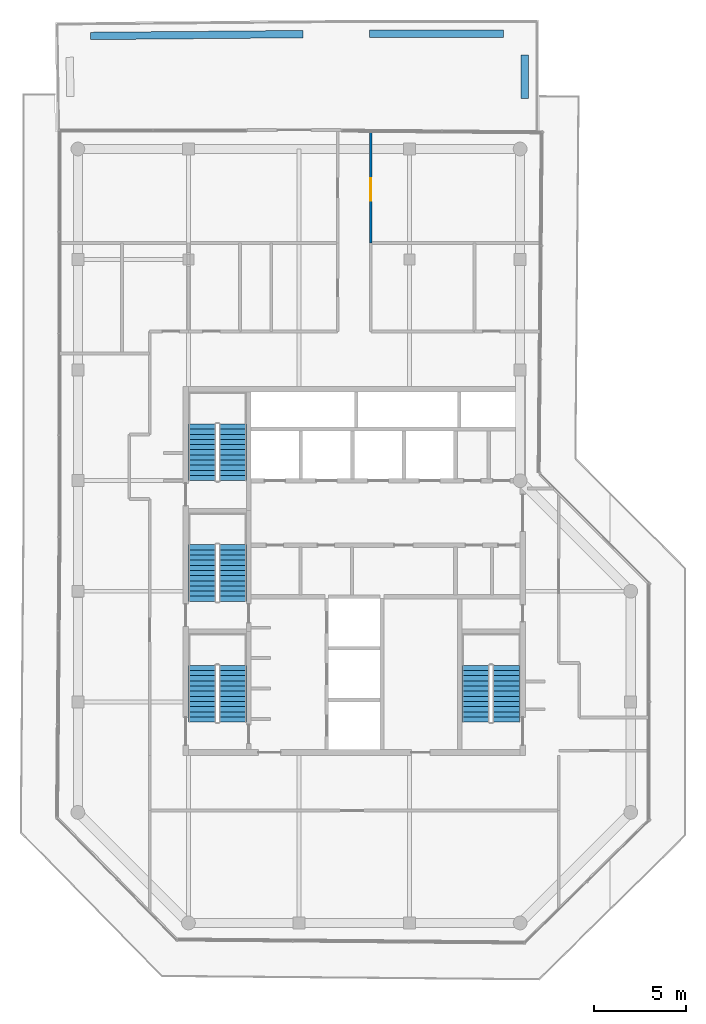
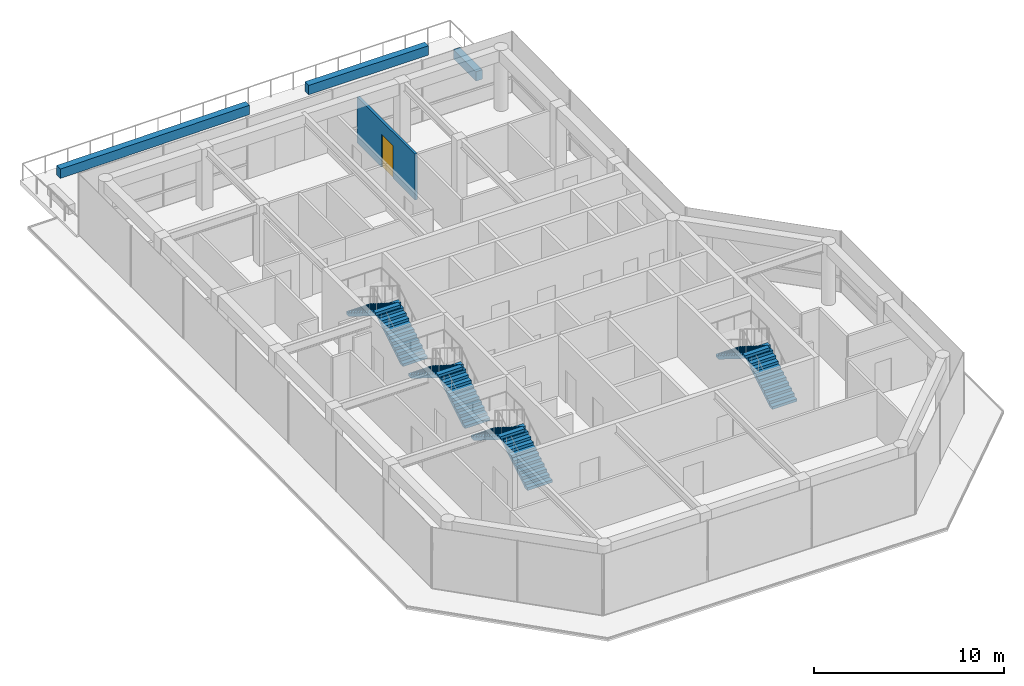
# One storey, part 15 of 17: 8 stair flights, 4 walls, 1 door, 1 opening, 4 elements without a shape of their own.
"""IFC4 building model written with IfcOpenShell, lengths in metres."""

from ifc_helpers import new_model, si_unit, direction, frame, frame_2d, origin, place, context, subcontext, project, spatial, polyline, rectangle, outline, extrude, material, layer, layer_set, type_object, element, fill, aggregate, save


model = new_model("IFC4")

# Units and contexts
model_context = context("Model", 3, precision=1e-05, world=origin(), true_north=direction((0.0, 1.0)))
body_context = subcontext(model_context, "Body", "Model", "MODEL_VIEW")
ifc_project = project(units=[si_unit("LENGTHUNIT", "METRE"), si_unit("AREAUNIT", "SQUARE_METRE"), si_unit("VOLUMEUNIT", "CUBIC_METRE"), si_unit("PLANEANGLEUNIT", "RADIAN"), si_unit("MASSUNIT", "GRAM", prefix="KILO")], contexts=[model_context])

# Site, building, storey
site_placement = place(None, origin())
site = spatial("IfcSite", under=ifc_project, at=site_placement, CompositionType="ELEMENT")
building_placement = place(site_placement, origin())
building = spatial("IfcBuilding", under=site, at=building_placement, Name="Welwitschia Terrace Campus", CompositionType="ELEMENT")
storey_placement = place(building_placement, frame((0.0, 0.0, 335.60009765625)))
storey = spatial("IfcBuildingStorey", under=building, at=storey_placement, Name="L75", CompositionType="ELEMENT", Elevation=335.60009765625)

# Wall, opening, door
ifc_material_1 = material(Name="Gypsum board on steel studs", Category="steel")
ifc_layer_1 = layer(ifc_material_1, 0.14990234375)
ifc_layer_set_1 = layer_set([ifc_layer_1], Name="Gypsum board on steel studs")
wall_type_1 = type_object("IfcWallType", Name="Corridor partition 150 EI 30", PredefinedType="PARTITIONING", material=ifc_layer_set_1)
wall_1_placement = place(storey_placement, frame((15.89990234375, 38.969970703125, 0.0), z_axis=(0.0, 0.0, 1.0), x_axis=(0.0, -1.0, 0.0)))
wall_1 = element("IfcWall", 1, at=wall_1_placement, inside=storey, type_object=wall_type_1, Name="Partition", PredefinedType="PARTITIONING", context=body_context, shape_type="SweptSolid", body=[
    extrude(rectangle(XDim=6.070068359375, YDim=0.14990234375, at=frame_2d((3.03515625, 0.0))), origin(), (0.0, 0.0, 1.0), 2.949951171875),
])
opening_placement = place(wall_1_placement, frame((2.570068359375, 0.0, 0.0)))
opening = element("IfcOpeningElement", 2, at=opening_placement, cuts=wall_1, Name="Opening DI12", PredefinedType="OPENING", context=body_context, shape_type="SweptSolid", body=[
    extrude(rectangle(XDim=1.199951171875, YDim=2.10009765625, at=frame_2d((0.60009765625, 1.050048828125))), frame((0.0, 0.0849609375, 0.0), z_axis=(0.0, -1.0, 0.0), x_axis=(1.0, 0.0, 0.0)), (0.0, 0.0, 1.0), 0.169921875),
])
ifc_material_2 = material(Name="Timber veneered door", Category="wood")
door_type = type_object("IfcDoorType", Name="Interior door DI12", OperationType="NOTDEFINED", PredefinedType="DOOR", material=ifc_material_2)
door_placement = place(opening_placement, origin())
door = element("IfcDoor", 3, at=door_placement, inside=storey, type_object=door_type, Name="Door L75 1295", OperationType="SINGLE_SWING_RIGHT", OverallHeight=2.10009765625, OverallWidth=1.199951171875, PredefinedType="DOOR", context=body_context, shape_type="SweptSolid", body=[
    extrude(rectangle(XDim=1.199951171875, YDim=2.10009765625, at=frame_2d((0.60009765625, 1.050048828125))), frame((0.0, 0.02490234375, 0.0), z_axis=(0.0, -1.0, 0.0), x_axis=(1.0, 0.0, 0.0)), (0.0, 0.0, 1.0), 0.050048828125),
])
fill(opening, door)

# Walls
ifc_material_3 = material(Name="Concrete C40/50", Category="concrete")
ifc_layer_2 = layer(ifc_material_3, 0.39990234375)
ifc_layer_set_2 = layer_set([ifc_layer_2], Name="Concrete C40/50")
wall_type_2 = type_object("IfcWallType", Name="Planter wall 400", PredefinedType="SOLIDWALL", material=ifc_layer_set_2)
wall_2_placement = place(storey_placement, frame((0.686767578125, 44.1337890625, 0.0), z_axis=(0.0, 0.0, 1.0), x_axis=(0.999961964123, 0.008721829309, 0.0)))
element("IfcWall", 4, at=wall_2_placement, inside=storey, type_object=wall_type_2, Name="PLANTER", PredefinedType="SOLIDWALL", context=body_context, shape_type="SweptSolid", body=[
    extrude(rectangle(XDim=11.53271484375, YDim=0.39990234375, at=frame_2d((5.766357421875, 0.0))), origin(), (0.0, 0.0, 1.0), 0.599853515625),
])
wall_3_placement = place(storey_placement, frame((15.8134765625, 44.25, 0.0), z_axis=(0.0, 0.0, 1.0), x_axis=(1.0, 0.0, 0.0)))
element("IfcWall", 5, at=wall_3_placement, inside=storey, type_object=wall_type_2, Name="PLANTER", PredefinedType="SOLIDWALL", context=body_context, shape_type="SweptSolid", body=[
    extrude(rectangle(XDim=7.28662109375, YDim=0.39990234375, at=frame_2d((3.643310546875, 0.0))), origin(), (0.0, 0.0, 1.0), 0.599853515625),
])
wall_4_placement = place(storey_placement, frame((24.249755859375, 43.10009765625, 0.0), z_axis=(0.0, 0.0, 1.0), x_axis=(-0.000103337811, -0.999999994661, 0.0)))
element("IfcWall", 6, at=wall_4_placement, inside=storey, type_object=wall_type_2, Name="PLANTER", PredefinedType="SOLIDWALL", context=body_context, shape_type="SweptSolid", body=[
    extrude(rectangle(XDim=2.362548828125, YDim=0.39990234375, at=frame_2d((1.18115234375, 0.0))), origin(), (0.0, 0.0, 1.0), 0.599853515625),
])

# Stair, stair flights
ifc_material_4 = material(Name="Concrete C40/50", Category="concrete")
stair_type = type_object("IfcStairType", Name="Stair 24R 175 W1500", PredefinedType="HALF_TURN_STAIR", material=ifc_material_4)
stair_1_placement = place(storey_placement, origin())
stair_1 = element("IfcStair", 7, at=stair_1_placement, inside=storey, type_object=stair_type, Name="L75 Exit stair S1", PredefinedType="HALF_TURN_STAIR")
ifc_material_5 = material(Name="Concrete C40/50", Category="concrete")
stair_flight_type = type_object("IfcStairFlightType", Name="Stair flight 24R 175 W1500", PredefinedType="STRAIGHT", material=ifc_material_5)
stair_flight_1_placement = place(storey_placement, frame((8.39990234375, 6.89990234375, 0.0), z_axis=(0.0, 0.0, 1.0), x_axis=(0.0, 1.0, 0.0)))
stair_flight_1 = element("IfcStairFlight", 8, at=stair_flight_1_placement, type_object=stair_flight_type, Name="S1 flight 1", NumberOfRisers=12, NumberOfTreads=11, PredefinedType="STRAIGHT", RiserHeight=0.175, TreadLength=0.28, context=body_context, shape_type="SweptSolid", body=[
    extrude(outline(polyline([(0.0, 0.0), (0.0, 0.175048828125), (0.280029296875, 0.175048828125), (0.280029296875, 0.35009765625), (0.56005859375, 0.35009765625), (0.56005859375, 0.52490234375), (0.840087890625, 0.52490234375), (0.840087890625, 0.699951171875), (1.1201171875, 0.699951171875), (1.1201171875, 0.875), (1.39990234375, 0.875), (1.39990234375, 1.050048828125), (1.679931640625, 1.050048828125), (1.679931640625, 1.22509765625), (1.9599609375, 1.22509765625), (1.9599609375, 1.39990234375), (2.239990234375, 1.39990234375), (2.239990234375, 1.574951171875), (2.52001953125, 1.574951171875), (2.52001953125, 1.75), (2.800048828125, 1.75), (2.800048828125, 1.925048828125), (3.080078125, 1.925048828125), (3.080078125, 2.10009765625), (3.080078125, 1.748291015625), (0.28271484375, 0.0), (0.0, 0.0)])), frame((0.0, 0.75, 0.0), z_axis=(0.0, -1.0, 0.0), x_axis=(1.0, 0.0, 0.0)), (0.0, 0.0, 1.0), 1.5),
])
stair_flight_2_placement = place(storey_placement, frame((6.75, 9.97998046875, 2.099853515625), z_axis=(0.0, 0.0, 1.0), x_axis=(0.0, -1.0, 0.0)))
stair_flight_2 = element("IfcStairFlight", 9, at=stair_flight_2_placement, type_object=stair_flight_type, Name="S1 flight 2", NumberOfRisers=12, NumberOfTreads=11, PredefinedType="STRAIGHT", RiserHeight=0.175, TreadLength=0.28, context=body_context, shape_type="SweptSolid", body=[
    extrude(outline(polyline([(0.0, 0.0), (0.0, 0.175048828125), (0.280029296875, 0.175048828125), (0.280029296875, 0.35009765625), (0.56005859375, 0.35009765625), (0.56005859375, 0.52490234375), (0.840087890625, 0.52490234375), (0.840087890625, 0.699951171875), (1.1201171875, 0.699951171875), (1.1201171875, 0.875), (1.39990234375, 0.875), (1.39990234375, 1.050048828125), (1.679931640625, 1.050048828125), (1.679931640625, 1.22509765625), (1.9599609375, 1.22509765625), (1.9599609375, 1.39990234375), (2.239990234375, 1.39990234375), (2.239990234375, 1.574951171875), (2.52001953125, 1.574951171875), (2.52001953125, 1.75), (2.800048828125, 1.75), (2.800048828125, 1.925048828125), (3.080078125, 1.925048828125), (3.080078125, 2.10009765625), (3.080078125, 1.748291015625), (0.28271484375, 0.0), (0.0, 0.0)])), frame((0.0, 0.75, 0.0), z_axis=(0.0, -1.0, 0.0), x_axis=(1.0, 0.0, 0.0)), (0.0, 0.0, 1.0), 1.5),
])
aggregate(stair_1, [stair_flight_1, stair_flight_2])

stair_2_placement = place(storey_placement, origin())
stair_2 = element("IfcStair", 10, at=stair_2_placement, inside=storey, type_object=stair_type, Name="L75 Exit stair S3", PredefinedType="HALF_TURN_STAIR")
stair_flight_3_placement = place(storey_placement, frame((8.39990234375, 13.449951171875, 0.0), z_axis=(0.0, 0.0, 1.0), x_axis=(0.0, 1.0, 0.0)))
stair_flight_3 = element("IfcStairFlight", 11, at=stair_flight_3_placement, type_object=stair_flight_type, Name="S3 flight 1", NumberOfRisers=12, NumberOfTreads=11, PredefinedType="STRAIGHT", RiserHeight=0.175, TreadLength=0.28, context=body_context, shape_type="SweptSolid", body=[
    extrude(outline(polyline([(0.0, 0.0), (0.0, 0.175048828125), (0.280029296875, 0.175048828125), (0.280029296875, 0.35009765625), (0.56005859375, 0.35009765625), (0.56005859375, 0.52490234375), (0.840087890625, 0.52490234375), (0.840087890625, 0.699951171875), (1.1201171875, 0.699951171875), (1.1201171875, 0.875), (1.39990234375, 0.875), (1.39990234375, 1.050048828125), (1.679931640625, 1.050048828125), (1.679931640625, 1.22509765625), (1.9599609375, 1.22509765625), (1.9599609375, 1.39990234375), (2.239990234375, 1.39990234375), (2.239990234375, 1.574951171875), (2.52001953125, 1.574951171875), (2.52001953125, 1.75), (2.800048828125, 1.75), (2.800048828125, 1.925048828125), (3.080078125, 1.925048828125), (3.080078125, 2.10009765625), (3.080078125, 1.748291015625), (0.28271484375, 0.0), (0.0, 0.0)])), frame((0.0, 0.75, 0.0), z_axis=(0.0, -1.0, 0.0), x_axis=(1.0, 0.0, 0.0)), (0.0, 0.0, 1.0), 1.5),
])
stair_flight_4_placement = place(storey_placement, frame((6.75, 16.530029296875, 2.099853515625), z_axis=(0.0, 0.0, 1.0), x_axis=(0.0, -1.0, 0.0)))
stair_flight_4 = element("IfcStairFlight", 12, at=stair_flight_4_placement, type_object=stair_flight_type, Name="S3 flight 2", NumberOfRisers=12, NumberOfTreads=11, PredefinedType="STRAIGHT", RiserHeight=0.175, TreadLength=0.28, context=body_context, shape_type="SweptSolid", body=[
    extrude(outline(polyline([(0.0, 0.0), (0.0, 0.175048828125), (0.280029296875, 0.175048828125), (0.280029296875, 0.35009765625), (0.56005859375, 0.35009765625), (0.56005859375, 0.52490234375), (0.840087890625, 0.52490234375), (0.840087890625, 0.699951171875), (1.1201171875, 0.699951171875), (1.1201171875, 0.875), (1.39990234375, 0.875), (1.39990234375, 1.050048828125), (1.679931640625, 1.050048828125), (1.679931640625, 1.22509765625), (1.9599609375, 1.22509765625), (1.9599609375, 1.39990234375), (2.239990234375, 1.39990234375), (2.239990234375, 1.574951171875), (2.52001953125, 1.574951171875), (2.52001953125, 1.75), (2.800048828125, 1.75), (2.800048828125, 1.925048828125), (3.080078125, 1.925048828125), (3.080078125, 2.10009765625), (3.080078125, 1.748291015625), (0.28271484375, 0.0), (0.0, 0.0)])), frame((0.0, 0.75, 0.0), z_axis=(0.0, -1.0, 0.0), x_axis=(1.0, 0.0, 0.0)), (0.0, 0.0, 1.0), 1.5),
])
aggregate(stair_2, [stair_flight_3, stair_flight_4])

stair_3_placement = place(storey_placement, origin())
stair_3 = element("IfcStair", 13, at=stair_3_placement, inside=storey, type_object=stair_type, Name="L75 Exit stair S4", PredefinedType="HALF_TURN_STAIR")
stair_flight_5_placement = place(storey_placement, frame((8.39990234375, 20.0, 0.0), z_axis=(0.0, 0.0, 1.0), x_axis=(0.0, 1.0, 0.0)))
stair_flight_5 = element("IfcStairFlight", 14, at=stair_flight_5_placement, type_object=stair_flight_type, Name="S4 flight 1", NumberOfRisers=12, NumberOfTreads=11, PredefinedType="STRAIGHT", RiserHeight=0.175, TreadLength=0.28, context=body_context, shape_type="SweptSolid", body=[
    extrude(outline(polyline([(0.0, 0.0), (0.0, 0.175048828125), (0.280029296875, 0.175048828125), (0.280029296875, 0.35009765625), (0.56005859375, 0.35009765625), (0.56005859375, 0.52490234375), (0.840087890625, 0.52490234375), (0.840087890625, 0.699951171875), (1.1201171875, 0.699951171875), (1.1201171875, 0.875), (1.39990234375, 0.875), (1.39990234375, 1.050048828125), (1.679931640625, 1.050048828125), (1.679931640625, 1.22509765625), (1.9599609375, 1.22509765625), (1.9599609375, 1.39990234375), (2.239990234375, 1.39990234375), (2.239990234375, 1.574951171875), (2.52001953125, 1.574951171875), (2.52001953125, 1.75), (2.800048828125, 1.75), (2.800048828125, 1.925048828125), (3.080078125, 1.925048828125), (3.080078125, 2.10009765625), (3.080078125, 1.748291015625), (0.28271484375, 0.0), (0.0, 0.0)])), frame((0.0, 0.75, 0.0), z_axis=(0.0, -1.0, 0.0), x_axis=(1.0, 0.0, 0.0)), (0.0, 0.0, 1.0), 1.5),
])
stair_flight_6_placement = place(storey_placement, frame((6.75, 23.080078125, 2.099853515625), z_axis=(0.0, 0.0, 1.0), x_axis=(0.0, -1.0, 0.0)))
stair_flight_6 = element("IfcStairFlight", 15, at=stair_flight_6_placement, type_object=stair_flight_type, Name="S4 flight 2", NumberOfRisers=12, NumberOfTreads=11, PredefinedType="STRAIGHT", RiserHeight=0.175, TreadLength=0.28, context=body_context, shape_type="SweptSolid", body=[
    extrude(outline(polyline([(0.0, 0.0), (0.0, 0.175048828125), (0.280029296875, 0.175048828125), (0.280029296875, 0.35009765625), (0.56005859375, 0.35009765625), (0.56005859375, 0.52490234375), (0.840087890625, 0.52490234375), (0.840087890625, 0.699951171875), (1.1201171875, 0.699951171875), (1.1201171875, 0.875), (1.39990234375, 0.875), (1.39990234375, 1.050048828125), (1.679931640625, 1.050048828125), (1.679931640625, 1.22509765625), (1.9599609375, 1.22509765625), (1.9599609375, 1.39990234375), (2.239990234375, 1.39990234375), (2.239990234375, 1.574951171875), (2.52001953125, 1.574951171875), (2.52001953125, 1.75), (2.800048828125, 1.75), (2.800048828125, 1.925048828125), (3.080078125, 1.925048828125), (3.080078125, 2.10009765625), (3.080078125, 1.748291015625), (0.28271484375, 0.0), (0.0, 0.0)])), frame((0.0, 0.75, 0.0), z_axis=(0.0, -1.0, 0.0), x_axis=(1.0, 0.0, 0.0)), (0.0, 0.0, 1.0), 1.5),
])
aggregate(stair_3, [stair_flight_5, stair_flight_6])

stair_4_placement = place(storey_placement, origin())
stair_4 = element("IfcStair", 16, at=stair_4_placement, inside=storey, type_object=stair_type, Name="L75 Exit stair S2", PredefinedType="HALF_TURN_STAIR")
stair_flight_7_placement = place(storey_placement, frame((23.25, 6.89990234375, 0.0), z_axis=(0.0, 0.0, 1.0), x_axis=(0.0, 1.0, 0.0)))
stair_flight_7 = element("IfcStairFlight", 17, at=stair_flight_7_placement, type_object=stair_flight_type, Name="S2 flight 1", NumberOfRisers=12, NumberOfTreads=11, PredefinedType="STRAIGHT", RiserHeight=0.175, TreadLength=0.28, context=body_context, shape_type="SweptSolid", body=[
    extrude(outline(polyline([(0.0, 0.0), (0.0, 0.175048828125), (0.280029296875, 0.175048828125), (0.280029296875, 0.35009765625), (0.56005859375, 0.35009765625), (0.56005859375, 0.52490234375), (0.840087890625, 0.52490234375), (0.840087890625, 0.699951171875), (1.1201171875, 0.699951171875), (1.1201171875, 0.875), (1.39990234375, 0.875), (1.39990234375, 1.050048828125), (1.679931640625, 1.050048828125), (1.679931640625, 1.22509765625), (1.9599609375, 1.22509765625), (1.9599609375, 1.39990234375), (2.239990234375, 1.39990234375), (2.239990234375, 1.574951171875), (2.52001953125, 1.574951171875), (2.52001953125, 1.75), (2.800048828125, 1.75), (2.800048828125, 1.925048828125), (3.080078125, 1.925048828125), (3.080078125, 2.10009765625), (3.080078125, 1.748291015625), (0.28271484375, 0.0), (0.0, 0.0)])), frame((0.0, 0.75, 0.0), z_axis=(0.0, -1.0, 0.0), x_axis=(1.0, 0.0, 0.0)), (0.0, 0.0, 1.0), 1.5),
])
stair_flight_8_placement = place(storey_placement, frame((21.60009765625, 9.97998046875, 2.099853515625), z_axis=(0.0, 0.0, 1.0), x_axis=(0.0, -1.0, 0.0)))
stair_flight_8 = element("IfcStairFlight", 18, at=stair_flight_8_placement, type_object=stair_flight_type, Name="S2 flight 2", NumberOfRisers=12, NumberOfTreads=11, PredefinedType="STRAIGHT", RiserHeight=0.175, TreadLength=0.28, context=body_context, shape_type="SweptSolid", body=[
    extrude(outline(polyline([(0.0, 0.0), (0.0, 0.175048828125), (0.280029296875, 0.175048828125), (0.280029296875, 0.35009765625), (0.56005859375, 0.35009765625), (0.56005859375, 0.52490234375), (0.840087890625, 0.52490234375), (0.840087890625, 0.699951171875), (1.1201171875, 0.699951171875), (1.1201171875, 0.875), (1.39990234375, 0.875), (1.39990234375, 1.050048828125), (1.679931640625, 1.050048828125), (1.679931640625, 1.22509765625), (1.9599609375, 1.22509765625), (1.9599609375, 1.39990234375), (2.239990234375, 1.39990234375), (2.239990234375, 1.574951171875), (2.52001953125, 1.574951171875), (2.52001953125, 1.75), (2.800048828125, 1.75), (2.800048828125, 1.925048828125), (3.080078125, 1.925048828125), (3.080078125, 2.10009765625), (3.080078125, 1.748291015625), (0.28271484375, 0.0), (0.0, 0.0)])), frame((0.0, 0.75, 0.0), z_axis=(0.0, -1.0, 0.0), x_axis=(1.0, 0.0, 0.0)), (0.0, 0.0, 1.0), 1.5),
])
aggregate(stair_4, [stair_flight_7, stair_flight_8])

save(model, "model.ifc")
